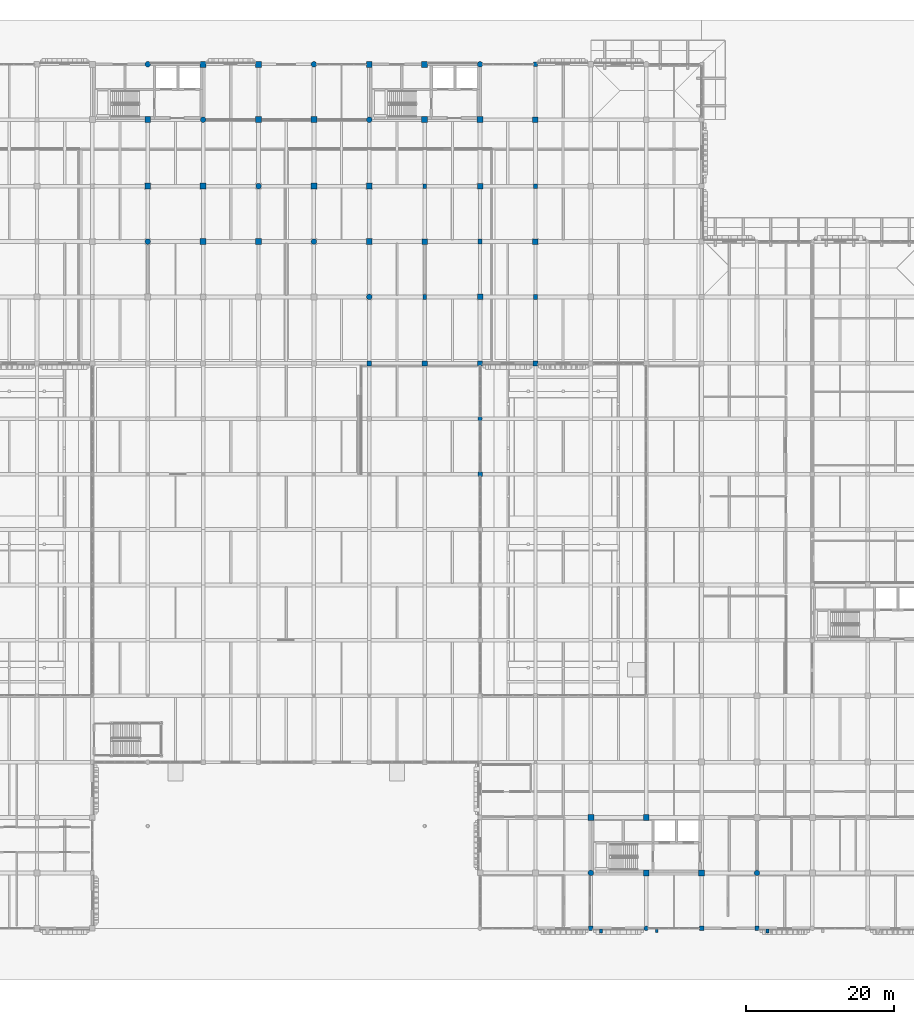
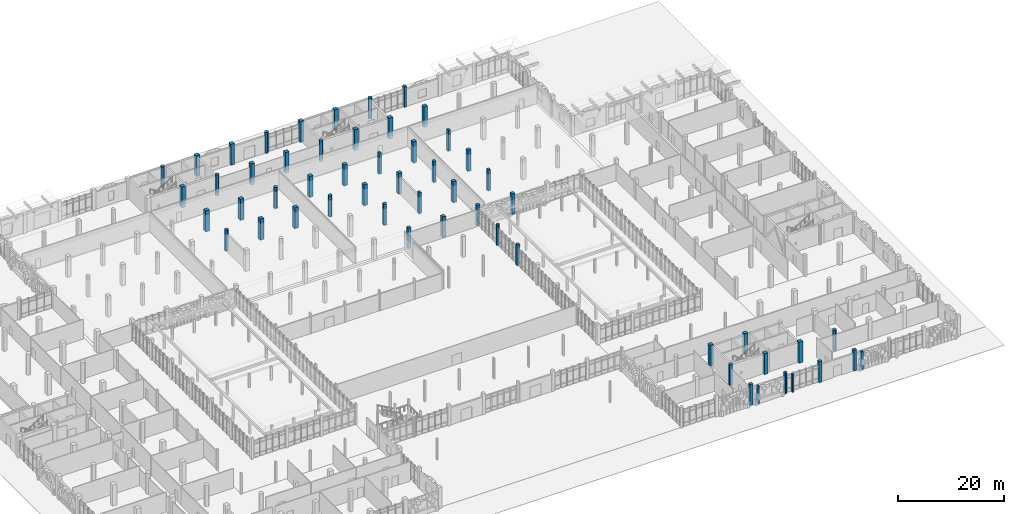
# One storey, part 11 of 125: 55 columns.
"""IFC4 building model written with IfcOpenShell, lengths in metres."""

from ifc_helpers import new_model, si_unit, direction, frame, origin, origin_2d, place, context, subcontext, project, spatial, rectangle, circle, extrude, material, material_profile, profile_set, type_object, element, save


model = new_model("IFC4")

# Units and contexts
model_context = context("Model", 3, precision=1e-05, world=origin(), true_north=direction((0.0, 1.0)))
body_context = subcontext(model_context, "Body", "Model", "MODEL_VIEW")
ifc_project = project(units=[si_unit("LENGTHUNIT", "METRE"), si_unit("AREAUNIT", "SQUARE_METRE"), si_unit("VOLUMEUNIT", "CUBIC_METRE"), si_unit("PLANEANGLEUNIT", "RADIAN"), si_unit("MASSUNIT", "GRAM", prefix="KILO")], contexts=[model_context])

# Site, building, storey
site_placement = place(None, origin())
site = spatial("IfcSite", under=ifc_project, at=site_placement, CompositionType="ELEMENT")
building_placement = place(site_placement, origin())
building = spatial("IfcBuilding", under=site, at=building_placement, Name="Dalvernix Boulevard General Hospital", CompositionType="ELEMENT")
storey_placement = place(building_placement, origin())
storey = spatial("IfcBuildingStorey", under=building, at=storey_placement, Name="L00", CompositionType="ELEMENT", Elevation=0.0)

# Columns
ifc_material = material(Name="Concrete C40/50", Category="concrete")
ifc_material_profile_1 = material_profile(ifc_material, rectangle(XDim=0.800048828125, YDim=0.800048828125, at=origin_2d()), Name="RC 800x800")
ifc_profile_set_1 = profile_set([ifc_material_profile_1], Name="Concrete C40/50")
column_type_1 = type_object("IfcColumnType", Name="COL-C-03-E", PredefinedType="COLUMN", material=ifc_profile_set_1)
for number, where, z_axis, x_axis, name in (
    (1, (75.0, 117.0, 0.0), (0.0, 0.0, 1.0), (1.0, 0.0, 0.0), "L00 column 11R"),
    (2, (82.5, 117.0, 0.0), (0.0, 0.0, 1.0), (1.0, 0.0, 0.0), "L00 column 12R"),
    (3, (97.5, 117.0, 0.0), (0.0, 0.0, 1.0), (1.0, 0.0, 0.0), "L00 column 14R"),
    (4, (105.0, 117.0, 0.0), (0.0, 0.0, 1.0), (1.0, 0.0, 0.0), "L00 column 15R"),
):
    element("IfcColumn", number, at=place(storey_placement, frame(where, z_axis=z_axis, x_axis=x_axis)), inside=storey, type_object=column_type_1, Name=name, PredefinedType="COLUMN", context=body_context, shape_type="SweptSolid", body=[
        extrude(rectangle(XDim=0.800048828125, YDim=0.800048828125, at=origin_2d()), origin(), (0.0, 0.0, 1.0), 4.800048828125),
    ])
ifc_material_profile_2 = material_profile(ifc_material, rectangle(XDim=0.800048828125, YDim=0.800048828125, at=origin_2d()), Name="RC 800x800")
ifc_profile_set_2 = profile_set([ifc_material_profile_2], Name="Concrete C40/50")
column_type_2 = type_object("IfcColumnType", Name="COL-C-03-I", PredefinedType="COLUMN", material=ifc_profile_set_2)
for number, where, z_axis, x_axis, name in (
    (5, (67.5, 100.5, 0.0), (0.0, 0.0, 1.0), (1.0, 0.0, 0.0), "L00 column 10P"),
    (6, (67.5, 109.5, 0.0), (0.0, 0.0, 1.0), (1.0, 0.0, 0.0), "L00 column 10Q"),
    (7, (75.0, 93.0, 0.0), (0.0, 0.0, 1.0), (1.0, 0.0, 0.0), "L00 column 11N"),
    (8, (75.0, 100.5, 0.0), (0.0, 0.0, 1.0), (1.0, 0.0, 0.0), "L00 column 11P"),
    (9, (82.5, 93.0, 0.0), (0.0, 0.0, 1.0), (1.0, 0.0, 0.0), "L00 column 12N"),
    (10, (82.5, 109.5, 0.0), (0.0, 0.0, 1.0), (1.0, 0.0, 0.0), "L00 column 12Q"),
    (11, (90.0, 100.5, 0.0), (0.0, 0.0, 1.0), (1.0, 0.0, 0.0), "L00 column 13P"),
    (12, (90.0, 109.5, 0.0), (0.0, 0.0, 1.0), (1.0, 0.0, 0.0), "L00 column 13Q"),
    (13, (97.5, 93.0, 0.0), (0.0, 0.0, 1.0), (1.0, 0.0, 0.0), "L00 column 14N"),
    (14, (97.5, 100.5, 0.0), (0.0, 0.0, 1.0), (1.0, 0.0, 0.0), "L00 column 14P"),
    (15, (105.0, 109.5, 0.0), (0.0, 0.0, 1.0), (1.0, 0.0, 0.0), "L00 column 15Q"),
    (16, (112.5, 109.5, 0.0), (0.0, 0.0, 1.0), (1.0, 0.0, 0.0), "L00 column 16Q"),
    (17, (127.5, 15.0, 0.0), (0.0, 0.0, 1.0), (1.0, 0.0, 0.0), "L00 column 18C"),
    (18, (135.0, 7.5, 0.0), (0.0, 0.0, 1.0), (1.0, 0.0, 0.0), "L00 column 19B"),
    (19, (135.0, 15.0, 0.0), (0.0, 0.0, 1.0), (1.0, 0.0, 0.0), "L00 column 19C"),
    (20, (142.5, 7.5, 0.0), (0.0, 0.0, 1.0), (1.0, 0.0, 0.0), "L00 column 20B"),
):
    element("IfcColumn", number, at=place(storey_placement, frame(where, z_axis=z_axis, x_axis=x_axis)), inside=storey, type_object=column_type_2, Name=name, PredefinedType="COLUMN", context=body_context, shape_type="SweptSolid", body=[
        extrude(rectangle(XDim=0.800048828125, YDim=0.800048828125, at=origin_2d()), origin(), (0.0, 0.0, 1.0), 4.800048828125),
    ])
ifc_material_profile_3 = material_profile(ifc_material, rectangle(XDim=0.75, YDim=0.75, at=origin_2d()), Name="RC 750x750")
ifc_profile_set_3 = profile_set([ifc_material_profile_3], Name="Concrete C40/50")
column_type_3 = type_object("IfcColumnType", Name="COL-C-04-I", PredefinedType="COLUMN", material=ifc_profile_set_3)
for number, where, z_axis, x_axis, name in (
    (21, (105.0, 93.0, 0.0), (0.0, 0.0, 1.0), (1.0, 0.0, 0.0), "L00 column 15N"),
    (22, (112.5, 85.5, 0.0), (0.0, 0.0, 1.0), (1.0, 0.0, 0.0), "L00 column 16M"),
    (23, (112.5, 100.5, 0.0), (0.0, 0.0, 1.0), (1.0, 0.0, 0.0), "L00 column 16P"),
    (24, (120.0, 93.0, 0.0), (0.0, 0.0, 1.0), (1.0, 0.0, 0.0), "L00 column 17N"),
    (25, (120.0, 109.5, 0.0), (0.0, 0.0, 1.0), (1.0, 0.0, 0.0), "L00 column 17Q"),
):
    element("IfcColumn", number, at=place(storey_placement, frame(where, z_axis=z_axis, x_axis=x_axis)), inside=storey, type_object=column_type_3, Name=name, PredefinedType="COLUMN", context=body_context, shape_type="SweptSolid", body=[
        extrude(rectangle(XDim=0.75, YDim=0.75, at=origin_2d()), origin(), (0.0, 0.0, 1.0), 4.800048828125),
    ])
ifc_material_profile_4 = material_profile(ifc_material, rectangle(XDim=0.699951171875, YDim=0.699951171875, at=origin_2d()), Name="RC 700x700")
ifc_profile_set_4 = profile_set([ifc_material_profile_4], Name="Concrete C40/50")
column_type_4 = type_object("IfcColumnType", Name="COL-C-05-E", PredefinedType="COLUMN", material=ifc_profile_set_4)
column_1_placement = place(storey_placement, frame((120.0, 76.5, 0.0), z_axis=(0.0, 0.0, 1.0), x_axis=(1.0, 0.0, 0.0)))
element("IfcColumn", 26, at=column_1_placement, inside=storey, type_object=column_type_4, Name="L00 column 17L", PredefinedType="COLUMN", context=body_context, shape_type="SweptSolid", body=[
    extrude(rectangle(XDim=0.699951171875, YDim=0.699951171875, at=origin_2d()), origin(), (0.0, 0.0, 1.0), 4.800048828125),
])
ifc_material_profile_5 = material_profile(ifc_material, rectangle(XDim=0.699951171875, YDim=0.699951171875, at=origin_2d()), Name="RC 700x700")
ifc_profile_set_5 = profile_set([ifc_material_profile_5], Name="Concrete C40/50")
column_type_5 = type_object("IfcColumnType", Name="COL-C-05-I", PredefinedType="COLUMN", material=ifc_profile_set_5)
column_2_placement = place(storey_placement, frame((105.0, 76.5, 0.0), z_axis=(0.0, 0.0, 1.0), x_axis=(1.0, 0.0, 0.0)))
element("IfcColumn", 27, at=column_2_placement, inside=storey, type_object=column_type_5, Name="L00 column 15L", PredefinedType="COLUMN", context=body_context, shape_type="SweptSolid", body=[
    extrude(rectangle(XDim=0.699951171875, YDim=0.699951171875, at=origin_2d()), origin(), (0.0, 0.0, 1.0), 4.800048828125),
])
ifc_material_profile_6 = material_profile(ifc_material, rectangle(XDim=0.64990234375, YDim=0.64990234375, at=origin_2d()), Name="RC 650x650")
ifc_profile_set_6 = profile_set([ifc_material_profile_6], Name="Concrete C40/50")
column_type_6 = type_object("IfcColumnType", Name="COL-C-06-E", PredefinedType="COLUMN", material=ifc_profile_set_6)
column_3_placement = place(storey_placement, frame((112.5, 76.5, 0.0), z_axis=(0.0, 0.0, 1.0), x_axis=(1.0, 0.0, 0.0)))
element("IfcColumn", 28, at=column_3_placement, inside=storey, type_object=column_type_6, Name="L00 column 16L", PredefinedType="COLUMN", context=body_context, shape_type="SweptSolid", body=[
    extrude(rectangle(XDim=0.64990234375, YDim=0.64990234375, at=origin_2d()), origin(), (0.0, 0.0, 1.0), 4.800048828125),
])
ifc_material_profile_7 = material_profile(ifc_material, rectangle(XDim=0.64990234375, YDim=0.64990234375, at=origin_2d()), Name="RC 650x650")
ifc_profile_set_7 = profile_set([ifc_material_profile_7], Name="Concrete C40/50")
column_type_7 = type_object("IfcColumnType", Name="COL-C-06-I", PredefinedType="COLUMN", material=ifc_profile_set_7)
column_4_placement = place(storey_placement, frame((97.5, 76.5, 0.0), z_axis=(0.0, 0.0, 1.0), x_axis=(1.0, 0.0, 0.0)))
element("IfcColumn", 29, at=column_4_placement, inside=storey, type_object=column_type_7, Name="L00 column 14L", PredefinedType="COLUMN", context=body_context, shape_type="SweptSolid", body=[
    extrude(rectangle(XDim=0.64990234375, YDim=0.64990234375, at=origin_2d()), origin(), (0.0, 0.0, 1.0), 4.800048828125),
])
ifc_material_profile_8 = material_profile(ifc_material, rectangle(XDim=0.60009765625, YDim=0.60009765625, at=origin_2d()), Name="RC 600x600")
ifc_profile_set_8 = profile_set([ifc_material_profile_8], Name="Concrete C40/50")
column_type_8 = type_object("IfcColumnType", Name="COL-C-07-E", PredefinedType="COLUMN", material=ifc_profile_set_8)
for number, where, z_axis, x_axis, name in (
    (30, (112.5, 61.5, 0.0), (0.0, 0.0, 1.0), (1.0, 0.0, 0.0), "L00 column 16J"),
    (31, (127.5, 0.0, 0.0), (0.0, 0.0, 1.0), (1.0, 0.0, 0.0), "L00 column 18A"),
    (32, (142.5, 0.0, 0.0), (0.0, 0.0, 1.0), (1.0, 0.0, 0.0), "L00 column 20A"),
    (33, (150.0, 0.0, 0.0), (0.0, 0.0, 1.0), (1.0, 0.0, 0.0), "L00 column 21A"),
):
    element("IfcColumn", number, at=place(storey_placement, frame(where, z_axis=z_axis, x_axis=x_axis)), inside=storey, type_object=column_type_8, Name=name, PredefinedType="COLUMN", context=body_context, shape_type="SweptSolid", body=[
        extrude(rectangle(XDim=0.60009765625, YDim=0.60009765625, at=origin_2d()), origin(), (0.0, 0.0, 1.0), 4.800048828125),
    ])
ifc_material_profile_9 = material_profile(ifc_material, rectangle(XDim=0.5, YDim=0.64990234375, at=origin_2d()), Name="RC 500x650")
ifc_profile_set_9 = profile_set([ifc_material_profile_9], Name="Concrete C40/50")
column_type_9 = type_object("IfcColumnType", Name="COL-C-12-E", PredefinedType="COLUMN", material=ifc_profile_set_9)
column_5_placement = place(storey_placement, frame((120.0, 117.0, 0.0), z_axis=(0.0, 0.0, 1.0), x_axis=(1.0, 0.0, 0.0)))
element("IfcColumn", 34, at=column_5_placement, inside=storey, type_object=column_type_9, Name="L00 column 17R", PredefinedType="COLUMN", context=body_context, shape_type="SweptSolid", body=[
    extrude(rectangle(XDim=0.5, YDim=0.64990234375, at=origin_2d()), origin(), (0.0, 0.0, 1.0), 4.800048828125),
])
ifc_material_profile_10 = material_profile(ifc_material, rectangle(XDim=0.5, YDim=0.64990234375, at=origin_2d()), Name="RC 500x650")
ifc_profile_set_10 = profile_set([ifc_material_profile_10], Name="Concrete C40/50")
column_type_10 = type_object("IfcColumnType", Name="COL-C-12-I", PredefinedType="COLUMN", material=ifc_profile_set_10)
for number, where, z_axis, x_axis, name in (
    (35, (105.0, 85.5, 0.0), (0.0, 0.0, 1.0), (1.0, 0.0, 0.0), "L00 column 15M"),
    (36, (105.0, 100.5, 0.0), (0.0, 0.0, 1.0), (1.0, 0.0, 0.0), "L00 column 15P"),
    (37, (112.5, 93.0, 0.0), (0.0, 0.0, 1.0), (1.0, 0.0, 0.0), "L00 column 16N"),
    (38, (120.0, 85.5, 0.0), (0.0, 0.0, 1.0), (1.0, 0.0, 0.0), "L00 column 17M"),
    (39, (120.0, 100.5, 0.0), (0.0, 0.0, 1.0), (1.0, 0.0, 0.0), "L00 column 17P"),
):
    element("IfcColumn", number, at=place(storey_placement, frame(where, z_axis=z_axis, x_axis=x_axis)), inside=storey, type_object=column_type_10, Name=name, PredefinedType="COLUMN", context=body_context, shape_type="SweptSolid", body=[
        extrude(rectangle(XDim=0.5, YDim=0.64990234375, at=origin_2d()), origin(), (0.0, 0.0, 1.0), 4.800048828125),
    ])
ifc_material_profile_11 = material_profile(ifc_material, circle(Radius=0.375, at=origin_2d()), Name="RC D750")
ifc_profile_set_11 = profile_set([ifc_material_profile_11], Name="Concrete C40/50")
column_type_11 = type_object("IfcColumnType", Name="COL-C-14-E", PredefinedType="COLUMN", material=ifc_profile_set_11)
for number, where, z_axis, x_axis, name in (
    (40, (67.5, 117.0, 0.0), (0.0, 0.0, 1.0), (1.0, 0.0, 0.0), "L00 column 10R"),
    (41, (90.0, 117.0, 0.0), (0.0, 0.0, 1.0), (1.0, 0.0, 0.0), "L00 column 13R"),
    (42, (112.5, 117.0, 0.0), (0.0, 0.0, 1.0), (1.0, 0.0, 0.0), "L00 column 16R"),
):
    element("IfcColumn", number, at=place(storey_placement, frame(where, z_axis=z_axis, x_axis=x_axis)), inside=storey, type_object=column_type_11, Name=name, PredefinedType="COLUMN", context=body_context, shape_type="SweptSolid", body=[
        extrude(circle(Radius=0.375, at=origin_2d()), origin(), (0.0, 0.0, 1.0), 4.800048828125),
    ])
ifc_material_profile_12 = material_profile(ifc_material, circle(Radius=0.375, at=origin_2d()), Name="RC D750")
ifc_profile_set_12 = profile_set([ifc_material_profile_12], Name="Concrete C40/50")
column_type_12 = type_object("IfcColumnType", Name="COL-C-14-I", PredefinedType="COLUMN", material=ifc_profile_set_12)
for number, where, z_axis, x_axis, name in (
    (43, (67.5, 93.0, 0.0), (0.0, 0.0, 1.0), (1.0, 0.0, 0.0), "L00 column 10N"),
    (44, (75.0, 109.5, 0.0), (0.0, 0.0, 1.0), (1.0, 0.0, 0.0), "L00 column 11Q"),
    (45, (82.5, 100.5, 0.0), (0.0, 0.0, 1.0), (1.0, 0.0, 0.0), "L00 column 12P"),
    (46, (90.0, 93.0, 0.0), (0.0, 0.0, 1.0), (1.0, 0.0, 0.0), "L00 column 13N"),
    (47, (97.5, 85.5, 0.0), (0.0, 0.0, 1.0), (1.0, 0.0, 0.0), "L00 column 14M"),
    (48, (97.5, 109.5, 0.0), (0.0, 0.0, 1.0), (1.0, 0.0, 0.0), "L00 column 14Q"),
    (49, (127.5, 7.5, 0.0), (0.0, 0.0, 1.0), (1.0, 0.0, 0.0), "L00 column 18B"),
    (50, (150.0, 7.5, 0.0), (0.0, 0.0, 1.0), (1.0, 0.0, 0.0), "L00 column 21B"),
):
    element("IfcColumn", number, at=place(storey_placement, frame(where, z_axis=z_axis, x_axis=x_axis)), inside=storey, type_object=column_type_12, Name=name, PredefinedType="COLUMN", context=body_context, shape_type="SweptSolid", body=[
        extrude(circle(Radius=0.375, at=origin_2d()), origin(), (0.0, 0.0, 1.0), 4.800048828125),
    ])
ifc_material_profile_13 = material_profile(ifc_material, circle(Radius=0.300048828125, at=origin_2d()), Name="RC D600")
ifc_profile_set_13 = profile_set([ifc_material_profile_13], Name="Concrete C40/50")
column_type_13 = type_object("IfcColumnType", Name="COL-C-15-E", PredefinedType="COLUMN", material=ifc_profile_set_13)
for number, where, z_axis, x_axis, name in (
    (51, (112.5, 69.0, 0.0), (0.0, 0.0, 1.0), (1.0, 0.0, 0.0), "L00 column 16K"),
    (52, (135.0, 0.0, 0.0), (0.0, 0.0, 1.0), (1.0, 0.0, 0.0), "L00 column 19A"),
):
    element("IfcColumn", number, at=place(storey_placement, frame(where, z_axis=z_axis, x_axis=x_axis)), inside=storey, type_object=column_type_13, Name=name, PredefinedType="COLUMN", context=body_context, shape_type="SweptSolid", body=[
        extrude(circle(Radius=0.300048828125, at=origin_2d()), origin(), (0.0, 0.0, 1.0), 4.800048828125),
    ])
ifc_material_profile_14 = material_profile(ifc_material, rectangle(XDim=0.35009765625, YDim=0.5, at=origin_2d()), Name="RC 350x500")
ifc_profile_set_14 = profile_set([ifc_material_profile_14], Name="Concrete C40/50")
column_type_14 = type_object("IfcColumnType", Name="COL-CP-01", PredefinedType="PILASTER", material=ifc_profile_set_14)
column_6_placement = place(storey_placement, frame((136.39990234375, -0.340087890625, 0.0), z_axis=(0.0, 0.0, 1.0), x_axis=(1.0, 0.0, 0.0)))
element("IfcColumn", 53, at=column_6_placement, inside=storey, type_object=column_type_14, Name="L00 boulevard facade pilaster 9", PredefinedType="PILASTER", context=body_context, shape_type="SweptSolid", body=[
    extrude(rectangle(XDim=0.35009765625, YDim=0.5, at=origin_2d()), origin(), (0.0, 0.0, 1.0), 4.10009765625),
])
ifc_material_profile_15 = material_profile(ifc_material, rectangle(XDim=0.39990234375, YDim=0.550048828125, at=origin_2d()), Name="RC 400x550")
ifc_profile_set_15 = profile_set([ifc_material_profile_15], Name="Concrete C40/50")
column_type_15 = type_object("IfcColumnType", Name="COL-CP-02", PredefinedType="PILASTER", material=ifc_profile_set_15)
for number, where, z_axis, x_axis, name in (
    (54, (128.89990234375, -0.340087890625, 0.0), (0.0, 0.0, 1.0), (1.0, 0.0, 0.0), "L00 boulevard facade pilaster 8"),
    (55, (151.39990234375, -0.340087890625, 0.0), (0.0, 0.0, 1.0), (1.0, 0.0, 0.0), "L00 boulevard facade pilaster 10"),
):
    element("IfcColumn", number, at=place(storey_placement, frame(where, z_axis=z_axis, x_axis=x_axis)), inside=storey, type_object=column_type_15, Name=name, PredefinedType="PILASTER", context=body_context, shape_type="SweptSolid", body=[
        extrude(rectangle(XDim=0.39990234375, YDim=0.550048828125, at=origin_2d()), origin(), (0.0, 0.0, 1.0), 4.10009765625),
    ])

save(model, "model.ifc")
